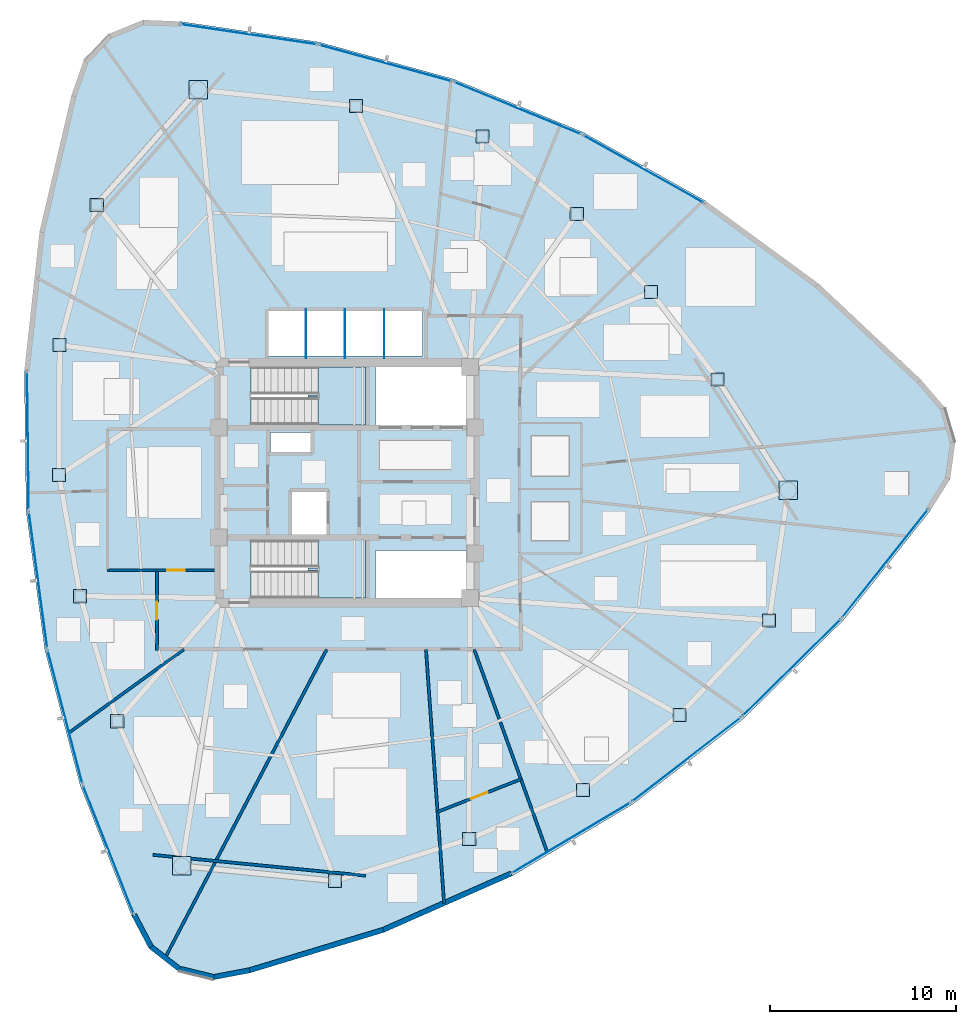
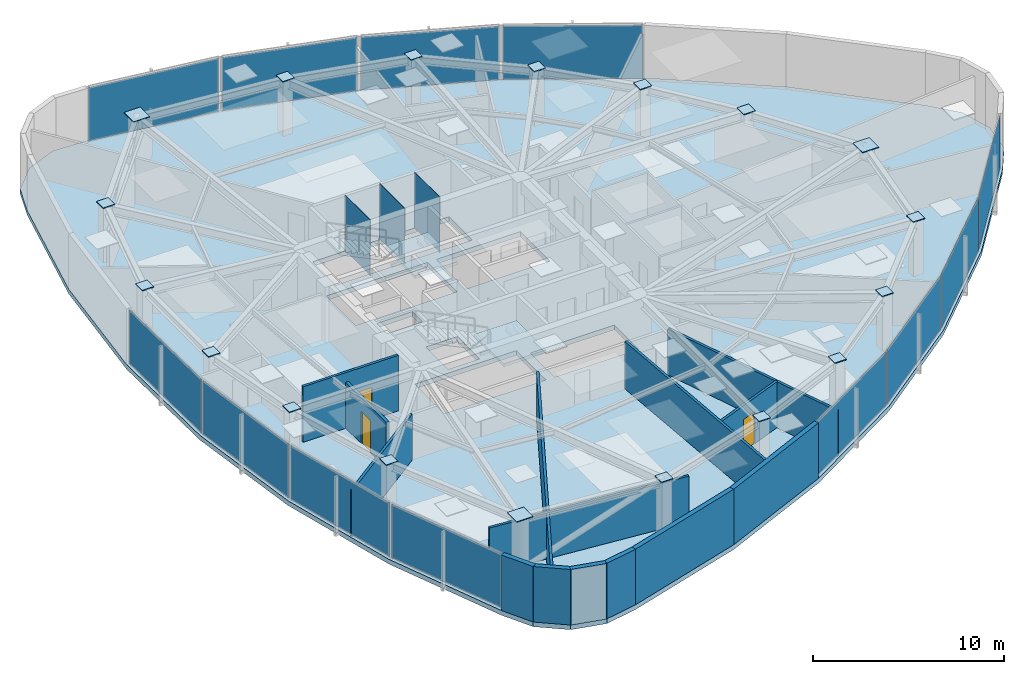
# One storey, part 11 of 18: 33 plates, 14 walls, 3 doors, 3 slabs, 3 openings, 14 elements without a shape of their own.
"""IFC4 building model written with IfcOpenShell, lengths in metres."""

from ifc_helpers import new_model, si_unit, direction, frame, frame_2d, origin, origin_2d, place, context, subcontext, project, spatial, polyline, rectangle, outline, extrude, source, transform, mapped, material, layer, layer_set, type_object, type_shapes, element, fill, aggregate, save


model = new_model("IFC4")

# Units and contexts
model_context = context("Model", 3, precision=1e-05, world=origin(), true_north=direction((0.0, 1.0)))
body_context = subcontext(model_context, "Body", "Model", "MODEL_VIEW")
ifc_project = project(units=[si_unit("LENGTHUNIT", "METRE"), si_unit("AREAUNIT", "SQUARE_METRE"), si_unit("VOLUMEUNIT", "CUBIC_METRE"), si_unit("PLANEANGLEUNIT", "RADIAN"), si_unit("MASSUNIT", "GRAM", prefix="KILO")], contexts=[model_context])

# Site, building, storey
site_placement = place(None, origin())
site = spatial("IfcSite", under=ifc_project, at=site_placement, CompositionType="ELEMENT")
building_placement = place(site_placement, origin())
building = spatial("IfcBuilding", under=site, at=building_placement, Name="Tavelor Broadcast Tower", CompositionType="ELEMENT")
storey_placement = place(building_placement, frame((0.0, 0.0, 177.199951171875)))
storey = spatial("IfcBuildingStorey", under=building, at=storey_placement, Name="L42", CompositionType="ELEMENT", Elevation=177.199951171875)

# Stair, slab
ifc_material_1 = material(Name="Concrete C40/50", Category="concrete")
stair_type = type_object("IfcStairType", Name="Reinforced Concrete Protected Dogleg Stair 1450 mm", PredefinedType="HALF_TURN_STAIR", material=ifc_material_1)
stair_1_placement = place(storey_placement, origin())
stair_1 = element("IfcStair", 1, at=stair_1_placement, inside=storey, type_object=stair_type, Name="L42 Protected Core Exit Stair ST1", PredefinedType="HALF_TURN_STAIR")
ifc_layer_1 = layer(ifc_material_1, 0.199951171875)
ifc_layer_set_1 = layer_set([ifc_layer_1], Name="Concrete C40/50")
slab_type_1 = type_object("IfcSlabType", Name="Reinforced Concrete Stair Half-Landing Slab 200 mm", PredefinedType="LANDING", material=ifc_layer_set_1)
slab_1_placement = place(storey_placement, frame((0.0, 0.0, 1.72509765625)))
slab_1 = element("IfcSlab", 2, at=slab_1_placement, type_object=slab_type_1, Name="ST1 landing 1", PredefinedType="LANDING", context=body_context, shape_type="SweptSolid", body=[
    extrude(outline(polyline([(48.445068359375, 49.590087890625), (48.445068359375, 48.094970703125), (51.0048828125, 48.094970703125), (51.0048828125, 51.205078125), (48.445068359375, 51.205078125), (48.445068359375, 49.7099609375), (47.905029296875, 49.7099609375), (47.905029296875, 49.590087890625), (48.445068359375, 49.590087890625)])), origin(), (0.0, 0.0, 1.0), 0.199951171875),
])
aggregate(stair_1, [slab_1])

stair_2_placement = place(storey_placement, origin())
stair_2 = element("IfcStair", 3, at=stair_2_placement, inside=storey, type_object=stair_type, Name="L42 Protected Core Exit Stair ST2", PredefinedType="HALF_TURN_STAIR")
slab_2_placement = place(storey_placement, frame((0.0, 0.0, 1.72509765625)))
slab_2 = element("IfcSlab", 4, at=slab_2_placement, type_object=slab_type_1, Name="ST2 landing 1", PredefinedType="LANDING", context=body_context, shape_type="SweptSolid", body=[
    extrude(outline(polyline([(48.445068359375, 40.2900390625), (48.445068359375, 38.794921875), (51.0048828125, 38.794921875), (51.0048828125, 41.905029296875), (48.445068359375, 41.905029296875), (48.445068359375, 40.409912109375), (47.905029296875, 40.409912109375), (47.905029296875, 40.2900390625), (48.445068359375, 40.2900390625)])), origin(), (0.0, 0.0, 1.0), 0.199951171875),
])
aggregate(stair_2, [slab_2])

# Slab
ifc_layer_2 = layer(ifc_material_1, 0.300048828125)
ifc_layer_set_2 = layer_set([ifc_layer_2], Name="Concrete C40/50")
slab_type_2 = type_object("IfcSlabType", Name="Tower Composite Floor Slab 300 mm", PredefinedType="FLOOR", material=ifc_layer_set_2)
slab_3_placement = place(storey_placement, frame((0.0, 0.0, -0.300048828125)))
element("IfcSlab", 5, at=slab_3_placement, inside=storey, type_object=slab_type_2, Name="L42 Structural Floor Slab", PredefinedType="FLOOR", context=body_context, shape_type="SweptSolid", body=[
    extrude(outline(polyline([(41.036865234375, 69.750732421875), (39.0625, 69.828125), (37.23095703125, 69.08642578125), (35.866943359375, 67.656494140625), (35.212158203125, 65.792236328125), (33.497802734375, 58.46875), (32.681884765625, 50.99169921875), (32.777099609375, 43.470947265625), (33.78173828125, 36.016845703125), (35.680908203125, 28.739013671875), (38.44677734375, 21.74462890625), (39.366943359375, 19.995849609375), (40.925048828125, 18.78076171875), (42.84521484375, 18.314453125), (44.787353515625, 18.6796875), (51.98681640625, 20.8564453125), (58.8701171875, 23.888671875), (65.335693359375, 27.7314453125), (71.288818359375, 32.328369140625), (76.641845703125, 37.612060546875), (81.316162109375, 43.504638671875), (82.37060546875, 45.17578125), (82.64404296875, 47.1328125), (82.087646484375, 49.029052734375), (80.800537109375, 50.5283203125), (75.3154296875, 55.6748046875), (69.248046875, 60.11962890625), (62.687255859375, 63.797607421875), (55.7294921875, 66.65478515625), (48.477294921875, 68.648681640625), (41.036865234375, 69.750732421875)]), holes=[polyline([(56.60009765625, 41.35009765625), (56.60009765625, 38.800048828125), (51.52001953125, 38.800048828125), (51.52001953125, 41.35009765625), (56.60009765625, 41.35009765625)]), polyline([(50.99609375, 38.803955078125), (44.85400390625, 38.803955078125), (44.85400390625, 41.89599609375), (50.99609375, 41.89599609375), (50.99609375, 38.803955078125)]), polyline([(47.050048828125, 42.199951171875), (47.050048828125, 44.550048828125), (48.949951171875, 44.550048828125), (48.949951171875, 42.199951171875), (47.050048828125, 42.199951171875)]), polyline([(48.050048828125, 46.64990234375), (45.89990234375, 46.64990234375), (45.89990234375, 47.699951171875), (48.050048828125, 47.699951171875), (48.050048828125, 46.64990234375)]), polyline([(50.99609375, 48.10400390625), (44.85400390625, 48.10400390625), (44.85400390625, 51.196044921875), (50.99609375, 51.196044921875), (50.99609375, 48.10400390625)]), polyline([(56.60009765625, 48.10009765625), (51.52001953125, 48.10009765625), (51.52001953125, 51.199951171875), (56.60009765625, 51.199951171875), (56.60009765625, 48.10009765625)]), polyline([(54.050048828125, 51.800048828125), (45.800048828125, 51.800048828125), (45.800048828125, 54.25), (54.050048828125, 54.25), (54.050048828125, 51.800048828125)])]), origin(), (0.0, 0.0, 1.0), 0.300048828125),
])

# Plates
ifc_material_2 = material(Name="Steel S460", Category="steel")
ifc_layer_3 = layer(ifc_material_2, 0.050048828125)
ifc_layer_set_3 = layer_set([ifc_layer_3], Name="Steel S460")
plate_type_1 = type_object("IfcPlateType", Name="Tube Hollow-End Cap Plate KN05 700x700x50", PredefinedType="USERDEFINED", material=ifc_layer_set_3)
shared_shape_1 = source(origin(), body_context, "Body", "SweptSolid", [
    extrude(rectangle(XDim=0.699951171875, YDim=0.699951171875, at=origin_2d()), origin(), (0.0, 0.0, 1.0), 0.054931640625),
])
for number, where, z_axis, x_axis, name in (
    (6, (36.567626953125, 59.91064453125, 3.5224609375), (0.0, 0.0, 1.0), (1.0, 0.0, 0.0), "L42 Hollow End Cap Plate KN05 #1198"),
    (7, (34.5751953125, 52.37939453125, 3.5224609375), (0.0, 0.0, 1.0), (1.0, 0.0, 0.0), "L42 Hollow End Cap Plate KN05 #1199"),
    (8, (34.54638671875, 45.399169921875, 3.5224609375), (0.0, 0.0, 1.0), (1.0, 0.0, 0.0), "L42 Hollow End Cap Plate KN05 #1200"),
    (9, (35.680908203125, 38.89990234375, 3.5224609375), (0.0, 0.0, 1.0), (1.0, 0.0, 0.0), "L42 Hollow End Cap Plate KN05 #1201"),
    (10, (37.668212890625, 32.1904296875, 3.5224609375), (0.0, 0.0, 1.0), (1.0, 0.0, 0.0), "L42 Hollow End Cap Plate KN05 #1202"),
    (11, (49.366455078125, 23.618896484375, 3.5224609375), (0.0, 0.0, 1.0), (1.0, 0.0, 0.0), "L42 Hollow End Cap Plate KN05 #1204"),
    (12, (56.56103515625, 25.872802734375, 3.5224609375), (0.0, 0.0, 1.0), (1.0, 0.0, 0.0), "L42 Hollow End Cap Plate KN05 #1205"),
    (13, (62.669189453125, 28.503173828125, 3.5224609375), (0.0, 0.0, 1.0), (1.0, 0.0, 0.0), "L42 Hollow End Cap Plate KN05 #1206"),
    (14, (67.84228515625, 32.53173828125, 3.5224609375), (0.0, 0.0, 1.0), (1.0, 0.0, 0.0), "L42 Hollow End Cap Plate KN05 #1207"),
    (15, (72.6591796875, 37.607421875, 3.5224609375), (0.0, 0.0, 1.0), (1.0, 0.0, 0.0), "L42 Hollow End Cap Plate KN05 #1208"),
    (16, (69.885986328125, 50.544189453125, 3.5224609375), (0.0, 0.0, 1.0), (1.0, 0.0, 0.0), "L42 Hollow End Cap Plate KN05 #1210"),
    (17, (66.322021484375, 55.228759765625, 3.5224609375), (0.0, 0.0, 1.0), (1.0, 0.0, 0.0), "L42 Hollow End Cap Plate KN05 #1211"),
    (18, (62.330810546875, 59.416259765625, 3.5224609375), (0.0, 0.0, 1.0), (1.0, 0.0, 0.0), "L42 Hollow End Cap Plate KN05 #1212"),
    (19, (57.276611328125, 63.568359375, 3.5224609375), (0.0, 0.0, 1.0), (1.0, 0.0, 0.0), "L42 Hollow End Cap Plate KN05 #1213"),
    (20, (50.472412109375, 65.2021484375, 3.5224609375), (0.0, 0.0, 1.0), (1.0, 0.0, 0.0), "L42 Hollow End Cap Plate KN05 #1214"),
):
    element("IfcPlate", number, at=place(storey_placement, frame(where, z_axis=z_axis, x_axis=x_axis)), inside=storey, type_object=plate_type_1, Name=name, ObjectType="CAP PLATE", PredefinedType="USERDEFINED", context=body_context, shape_type="MappedRepresentation", body=[
        mapped(shared_shape_1, transform((0.0, 0.0, 0.0), scale=1.0)),
    ])
shared_shape_2 = source(origin(), body_context, "Body", "SweptSolid", [
    extrude(rectangle(XDim=0.993896484375, YDim=0.993896484375, at=origin_2d()), origin(), (0.0, 0.0, 1.0), 0.054931640625),
])
type_shapes(plate_type_1, [shared_shape_1, shared_shape_2])
for number, where, z_axis, x_axis, name in (
    (21, (42.01123046875, 66.080078125, 3.5224609375), (0.0, 0.0, 1.0), (1.0, 0.0, 0.0), "L42 Hollow End Cap Plate KN05 #1197"),
    (22, (41.138671875, 24.423828125, 3.5224609375), (0.0, 0.0, 1.0), (1.0, 0.0, 0.0), "L42 Hollow End Cap Plate KN05 #1203"),
    (23, (73.676025390625, 44.57958984375, 3.5224609375), (0.0, 0.0, 1.0), (1.0, 0.0, 0.0), "L42 Hollow End Cap Plate KN05 #1209"),
):
    element("IfcPlate", number, at=place(storey_placement, frame(where, z_axis=z_axis, x_axis=x_axis)), inside=storey, type_object=plate_type_1, Name=name, ObjectType="CAP PLATE", PredefinedType="USERDEFINED", context=body_context, shape_type="MappedRepresentation", body=[
        mapped(shared_shape_2, transform((0.0, 0.0, 0.0), scale=1.0)),
    ])
ifc_material_3 = material(Name="Steel S355", Category="steel")
ifc_layer_4 = layer(ifc_material_3, 0.011962890625)
ifc_layer_set_4 = layer_set([ifc_layer_4], Name="Steel S355")
plate_type_2 = type_object("IfcPlateType", Name="Hoistway Steel Separator Screen 12 mm", PredefinedType="SHEET", material=ifc_layer_set_4)
shared_shape_3 = source(origin(), body_context, "Body", "SweptSolid", [
    extrude(rectangle(XDim=0.02001953125, YDim=2.6201171875, at=origin_2d()), origin(), (0.0, 0.0, 1.0), 3.550048828125),
])
type_shapes(plate_type_2, [shared_shape_3])
for number, where, z_axis, x_axis, name in (
    (24, (47.800048828125, 52.989990234375, 0.0), (0.0, 0.0, 1.0), (1.0, 0.0, 0.0), "L42 High-Rise Hoistway Separator Screen 1"),
    (25, (49.89990234375, 52.989990234375, 0.0), (0.0, 0.0, 1.0), (1.0, 0.0, 0.0), "L42 High-Rise Hoistway Separator Screen 2"),
    (26, (52.0, 52.989990234375, 0.0), (0.0, 0.0, 1.0), (1.0, 0.0, 0.0), "L42 High-Rise Hoistway Separator Screen 3"),
):
    element("IfcPlate", number, at=place(storey_placement, frame(where, z_axis=z_axis, x_axis=x_axis)), inside=storey, type_object=plate_type_2, Name=name, PredefinedType="SHEET", context=body_context, shape_type="MappedRepresentation", body=[
        mapped(shared_shape_3, transform((0.0, 0.0, 0.0), scale=1.0)),
    ])

# Curtain wall, plate
ifc_material_4 = material(Name="Architectural Anodized Aluminium", Category="aluminium")
ifc_layer_5 = layer(ifc_material_4, 0.18994140625)
ifc_layer_set_5 = layer_set([ifc_layer_5], Name="Architectural Anodized Aluminium")
curtain_wall_type = type_object("IfcCurtainWallType", Name="Tower Mid-Zone Acoustic Curtain Wall CW03", PredefinedType="NOTDEFINED", material=ifc_layer_set_5)
curtain_wall_1_placement = place(storey_placement, origin())
curtain_wall_1 = element("IfcCurtainWall", 27, at=curtain_wall_1_placement, inside=storey, type_object=curtain_wall_type, Name="L42 Curtain Wall CW03 Run 445", PredefinedType="NOTDEFINED")
ifc_material_5 = material(Name="Solar Control Double Glazing 30 mm", Category="glass")
ifc_layer_6 = layer(ifc_material_5, 0.030029296875)
ifc_layer_set_6 = layer_set([ifc_layer_6], Name="Solar Control Double Glazing 30 mm")
plate_type_3 = type_object("IfcPlateType", Name="CW03 Insulated Vision Glazing Panel 30 mm", PredefinedType="CURTAIN_PANEL", material=ifc_layer_set_6)
shared_shape_4 = source(origin(), body_context, "Body", "SweptSolid", [
    extrude(rectangle(XDim=7.353515625, YDim=0.030029296875, at=origin_2d()), origin(), (0.0, 0.0, 1.0), 3.4140625),
])
plate_1_placement = place(storey_placement, frame((32.869384765625, 47.240478515625, 0.068115234375), z_axis=(0.0, 0.0, 1.0), x_axis=(0.012657889797, -0.999919885704, 0.0)))
plate_1 = element("IfcPlate", 28, at=plate_1_placement, type_object=plate_type_3, Name="CW03 panel 1.1", PredefinedType="CURTAIN_PANEL", context=body_context, shape_type="MappedRepresentation", body=[
    mapped(shared_shape_4, transform((0.0, 0.0, 0.0), scale=1.0)),
])
aggregate(curtain_wall_1, [plate_1])

curtain_wall_2_placement = place(storey_placement, origin())
curtain_wall_2 = element("IfcCurtainWall", 29, at=curtain_wall_2_placement, inside=storey, type_object=curtain_wall_type, Name="L42 Curtain Wall CW03 Run 449", PredefinedType="NOTDEFINED")
plate_2_placement = place(storey_placement, frame((62.02490234375, 25.926513671875, 0.068115234375), z_axis=(0.0, 0.0, 1.0), x_axis=(0.859630829004, 0.510915685633, 0.0)))
plate_2 = element("IfcPlate", 30, at=plate_2_placement, type_object=plate_type_3, Name="CW03 panel 1.1", PredefinedType="CURTAIN_PANEL", context=body_context, shape_type="MappedRepresentation", body=[
    mapped(shared_shape_4, transform((0.0, 0.0, 0.0), scale=1.0)),
])
aggregate(curtain_wall_2, [plate_2])

curtain_wall_3_placement = place(storey_placement, origin())
curtain_wall_3 = element("IfcCurtainWall", 31, at=curtain_wall_3_placement, inside=storey, type_object=curtain_wall_type, Name="L42 Curtain Wall CW03 Run 453", PredefinedType="NOTDEFINED")
plate_3_placement = place(storey_placement, frame((65.90576171875, 61.8330078125, 0.068115234375), z_axis=(0.0, 0.0, 1.0), x_axis=(-0.872279603374, 0.489007457549, 0.0)))
plate_3 = element("IfcPlate", 32, at=plate_3_placement, type_object=plate_type_3, Name="CW03 panel 1.1", PredefinedType="CURTAIN_PANEL", context=body_context, shape_type="MappedRepresentation", body=[
    mapped(shared_shape_4, transform((0.0, 0.0, 0.0), scale=1.0)),
])
aggregate(curtain_wall_3, [plate_3])

curtain_wall_4_placement = place(storey_placement, origin())
curtain_wall_4 = element("IfcCurtainWall", 33, at=curtain_wall_4_placement, inside=storey, type_object=curtain_wall_type, Name="L42 Curtain Wall CW03 Run 446", PredefinedType="NOTDEFINED")
shared_shape_5 = source(origin(), body_context, "Body", "SweptSolid", [
    extrude(rectangle(XDim=7.33837890625, YDim=0.030029296875, at=origin_2d()), origin(), (0.0, 0.0, 1.0), 3.4140625),
])
plate_4_placement = place(storey_placement, frame((33.418212890625, 39.762451171875, 0.068115234375), z_axis=(0.0, 0.0, 1.0), x_axis=(0.133548220083, -0.991042316409, 0.0)))
plate_4 = element("IfcPlate", 34, at=plate_4_placement, type_object=plate_type_3, Name="CW03 panel 1.1", PredefinedType="CURTAIN_PANEL", context=body_context, shape_type="MappedRepresentation", body=[
    mapped(shared_shape_5, transform((0.0, 0.0, 0.0), scale=1.0)),
])
aggregate(curtain_wall_4, [plate_4])

curtain_wall_5_placement = place(storey_placement, origin())
curtain_wall_5 = element("IfcCurtainWall", 35, at=curtain_wall_5_placement, inside=storey, type_object=curtain_wall_type, Name="L42 Curtain Wall CW03 Run 447", PredefinedType="NOTDEFINED")
plate_5_placement = place(storey_placement, frame((34.86669921875, 32.413330078125, 0.068115234375), z_axis=(0.0, 0.0, 1.0), x_axis=(0.252501957199, -0.967596383628, 0.0)))
plate_5 = element("IfcPlate", 36, at=plate_5_placement, type_object=plate_type_3, Name="CW03 panel 1.1", PredefinedType="CURTAIN_PANEL", context=body_context, shape_type="MappedRepresentation", body=[
    mapped(shared_shape_5, transform((0.0, 0.0, 0.0), scale=1.0)),
])
aggregate(curtain_wall_5, [plate_5])

curtain_wall_6_placement = place(storey_placement, origin())
curtain_wall_6 = element("IfcCurtainWall", 37, at=curtain_wall_6_placement, inside=storey, type_object=curtain_wall_type, Name="L42 Curtain Wall CW03 Run 450", PredefinedType="NOTDEFINED")
plate_6_placement = place(storey_placement, frame((68.2265625, 30.140869140625, 0.068115234375), z_axis=(0.0, 0.0, 1.0), x_axis=(0.791497098961, 0.611172923432, 0.0)))
plate_6 = element("IfcPlate", 38, at=plate_6_placement, type_object=plate_type_3, Name="CW03 panel 1.1", PredefinedType="CURTAIN_PANEL", context=body_context, shape_type="MappedRepresentation", body=[
    mapped(shared_shape_5, transform((0.0, 0.0, 0.0), scale=1.0)),
])
aggregate(curtain_wall_6, [plate_6])

curtain_wall_7_placement = place(storey_placement, origin())
curtain_wall_7 = element("IfcCurtainWall", 39, at=curtain_wall_7_placement, inside=storey, type_object=curtain_wall_type, Name="L42 Curtain Wall CW03 Run 451", PredefinedType="NOTDEFINED")
plate_7_placement = place(storey_placement, frame((73.866943359375, 35.06982421875, 0.068115234375), z_axis=(0.0, 0.0, 1.0), x_axis=(0.711700770333, 0.702482749615, 0.0)))
plate_7 = element("IfcPlate", 40, at=plate_7_placement, type_object=plate_type_3, Name="CW03 panel 1.1", PredefinedType="CURTAIN_PANEL", context=body_context, shape_type="MappedRepresentation", body=[
    mapped(shared_shape_5, transform((0.0, 0.0, 0.0), scale=1.0)),
])
aggregate(curtain_wall_7, [plate_7])

curtain_wall_8_placement = place(storey_placement, origin())
curtain_wall_8 = element("IfcCurtainWall", 41, at=curtain_wall_8_placement, inside=storey, type_object=curtain_wall_type, Name="L42 Curtain Wall CW03 Run 454", PredefinedType="NOTDEFINED")
plate_8_placement = place(storey_placement, frame((59.1552734375, 65.0966796875, 0.068115234375), z_axis=(0.0, 0.0, 1.0), x_axis=(-0.925046179767, 0.379854663388, 0.0)))
plate_8 = element("IfcPlate", 42, at=plate_8_placement, type_object=plate_type_3, Name="CW03 panel 1.1", PredefinedType="CURTAIN_PANEL", context=body_context, shape_type="MappedRepresentation", body=[
    mapped(shared_shape_5, transform((0.0, 0.0, 0.0), scale=1.0)),
])
aggregate(curtain_wall_8, [plate_8])

curtain_wall_9_placement = place(storey_placement, origin())
curtain_wall_9 = element("IfcCurtainWall", 43, at=curtain_wall_9_placement, inside=storey, type_object=curtain_wall_type, Name="L42 Curtain Wall CW03 Run 455", PredefinedType="NOTDEFINED")
plate_9_placement = place(storey_placement, frame((52.066162109375, 67.516845703125, 0.068115234375), z_axis=(0.0, 0.0, 1.0), x_axis=(-0.964213088536, 0.265128496952, 0.0)))
plate_9 = element("IfcPlate", 44, at=plate_9_placement, type_object=plate_type_3, Name="CW03 panel 1.1", PredefinedType="CURTAIN_PANEL", context=body_context, shape_type="MappedRepresentation", body=[
    mapped(shared_shape_5, transform((0.0, 0.0, 0.0), scale=1.0)),
])
aggregate(curtain_wall_9, [plate_9])

curtain_wall_10_placement = place(storey_placement, origin())
curtain_wall_10 = element("IfcCurtainWall", 45, at=curtain_wall_10_placement, inside=storey, type_object=curtain_wall_type, Name="L42 Curtain Wall CW03 Run 448", PredefinedType="NOTDEFINED")
shared_shape_6 = source(origin(), body_context, "Body", "SweptSolid", [
    extrude(rectangle(XDim=7.354248046875, YDim=0.030029296875, at=origin_2d()), origin(), (0.0, 0.0, 1.0), 3.4140625),
])
type_shapes(plate_type_3, [shared_shape_4, shared_shape_5, shared_shape_6])
plate_10_placement = place(storey_placement, frame((37.197021484375, 25.285888671875, 0.068115234375), z_axis=(0.0, 0.0, 1.0), x_axis=(0.367739440578, -0.929928870314, 0.0)))
plate_10 = element("IfcPlate", 46, at=plate_10_placement, type_object=plate_type_3, Name="CW03 panel 1.1", PredefinedType="CURTAIN_PANEL", context=body_context, shape_type="MappedRepresentation", body=[
    mapped(shared_shape_6, transform((0.0, 0.0, 0.0), scale=1.0)),
])
aggregate(curtain_wall_10, [plate_10])

curtain_wall_11_placement = place(storey_placement, origin())
curtain_wall_11 = element("IfcCurtainWall", 47, at=curtain_wall_11_placement, inside=storey, type_object=curtain_wall_type, Name="L42 Curtain Wall CW03 Run 452", PredefinedType="NOTDEFINED")
plate_11_placement = place(storey_placement, frame((78.874267578125, 40.651611328125, 0.068115234375), z_axis=(0.0, 0.0, 1.0), x_axis=(0.621469315487, 0.783438504228, 0.0)))
plate_11 = element("IfcPlate", 48, at=plate_11_placement, type_object=plate_type_3, Name="CW03 panel 1.1", PredefinedType="CURTAIN_PANEL", context=body_context, shape_type="MappedRepresentation", body=[
    mapped(shared_shape_6, transform((0.0, 0.0, 0.0), scale=1.0)),
])
aggregate(curtain_wall_11, [plate_11])

curtain_wall_12_placement = place(storey_placement, origin())
curtain_wall_12 = element("IfcCurtainWall", 49, at=curtain_wall_12_placement, inside=storey, type_object=curtain_wall_type, Name="L42 Curtain Wall CW03 Run 456", PredefinedType="NOTDEFINED")
plate_12_placement = place(storey_placement, frame((44.728759765625, 69.0625, 0.068115234375), z_axis=(0.0, 0.0, 1.0), x_axis=(-0.989211274174, 0.146495921602, 0.0)))
plate_12 = element("IfcPlate", 50, at=plate_12_placement, type_object=plate_type_3, Name="CW03 panel 1.1", PredefinedType="CURTAIN_PANEL", context=body_context, shape_type="MappedRepresentation", body=[
    mapped(shared_shape_6, transform((0.0, 0.0, 0.0), scale=1.0)),
])
aggregate(curtain_wall_12, [plate_12])

# Wall, opening, door
ifc_material_6 = material(Name="Calcium Silicate Fire Board 180 mm", Category="gypsum")
ifc_layer_7 = layer(ifc_material_6, 0.179931640625)
ifc_layer_set_7 = layer_set([ifc_layer_7], Name="Calcium Silicate Fire Board 180 mm")
wall_type_1 = type_object("IfcWallType", Name="Fire-Rated Corridor Partition Wall 180 mm", PredefinedType="PARTITIONING", material=ifc_layer_set_7)
wall_1_placement = place(storey_placement, frame((39.800048828125, 36.0, 0.0), z_axis=(0.0, 0.0, 1.0), x_axis=(0.0, 1.0, 0.0)))
wall_1 = element("IfcWall", 51, at=wall_1_placement, inside=storey, type_object=wall_type_1, Name="L42 Corridor Compartment Wall 05", PredefinedType="PARTITIONING", context=body_context, shape_type="SweptSolid", body=[
    extrude(rectangle(XDim=4.25, YDim=0.179931640625, at=frame_2d((2.125, 0.0))), origin(), (0.0, 0.0, 1.0), 2.93505859375),
])
opening_1_placement = place(wall_1_placement, frame((1.64990234375, 0.0, 0.0)))
opening_1 = element("IfcOpeningElement", 52, at=opening_1_placement, cuts=wall_1, Name="Opening DR18", PredefinedType="OPENING", context=body_context, shape_type="SweptSolid", body=[
    extrude(rectangle(XDim=0.949951171875, YDim=2.050048828125, at=frame_2d((0.47509765625, 1.02490234375))), frame((0.0, 0.10009765625, 0.0), z_axis=(0.0, -1.0, 0.0), x_axis=(1.0, 0.0, 0.0)), (0.0, 0.0, 1.0), 0.199951171875),
])
ifc_material_7 = material(Name="Timber Solid Core Hardwood", Category="wood")
door_type_1 = type_object("IfcDoorType", Name="Corridor Rated Compartment Door 950x2050", OperationType="NOTDEFINED", PredefinedType="DOOR", material=ifc_material_7)
door_1_placement = place(opening_1_placement, origin())
door_1 = element("IfcDoor", 53, at=door_1_placement, inside=storey, type_object=door_type_1, Name="L42 Broadcast Editorial Office Door R4", OperationType="SINGLE_SWING_LEFT", OverallHeight=2.050048828125, OverallWidth=0.949951171875, PredefinedType="DOOR", context=body_context, shape_type="SweptSolid", body=[
    extrude(rectangle(XDim=0.949951171875, YDim=2.050048828125, at=frame_2d((0.47509765625, 1.02490234375))), frame((0.0, 0.02490234375, 0.0), z_axis=(0.0, -1.0, 0.0), x_axis=(1.0, 0.0, 0.0)), (0.0, 0.0, 1.0), 0.050048828125),
])
fill(opening_1, door_1)

# Walls
ifc_material_8 = material(Name="Precast Concrete C40/50", Category="concrete")
ifc_layer_8 = layer(ifc_material_8, 0.280029296875)
ifc_layer_set_8 = layer_set([ifc_layer_8], Name="Precast Concrete C40/50")
wall_type_2 = type_object("IfcWallType", Name="Insulated Precast Terracotta Facade Wall 280 mm", PredefinedType="STANDARD", material=ifc_layer_set_8)
wall_2_placement = place(storey_placement, frame((38.572509765625, 21.806640625, 0.0), z_axis=(0.0, 0.0, 1.0), x_axis=(0.465530491216, -0.885031842223, 0.0)))
element("IfcWall", 54, at=wall_2_placement, inside=storey, type_object=wall_type_2, Name="L42 Rounded Corner Structural Cladding Pier 11", PredefinedType="STANDARD", context=body_context, shape_type="SweptSolid", body=[
    extrude(rectangle(XDim=1.957275390625, YDim=0.280029296875, at=frame_2d((0.978515625, 0.0))), origin(), (0.0, 0.0, 1.0), 3.550048828125),
])
wall_3_placement = place(storey_placement, frame((39.46484375, 20.096923828125, 0.0), z_axis=(0.0, 0.0, 1.0), x_axis=(0.788581401073, -0.61493038133, 0.0)))
element("IfcWall", 55, at=wall_3_placement, inside=storey, type_object=wall_type_2, Name="L42 Rounded Corner Structural Cladding Pier 12", PredefinedType="STANDARD", context=body_context, shape_type="SweptSolid", body=[
    extrude(rectangle(XDim=1.94580078125, YDim=0.280029296875, at=frame_2d((0.972900390625, 0.0))), origin(), (0.0, 0.0, 1.0), 3.550048828125),
])
wall_4_placement = place(storey_placement, frame((40.972900390625, 18.9130859375, 0.0), z_axis=(0.0, 0.0, 1.0), x_axis=(0.97177343414, -0.235916071305, 0.0)))
element("IfcWall", 56, at=wall_4_placement, inside=storey, type_object=wall_type_2, Name="L42 Rounded Corner Structural Cladding Pier 13", PredefinedType="STANDARD", context=body_context, shape_type="SweptSolid", body=[
    extrude(rectangle(XDim=1.945556640625, YDim=0.280029296875, at=frame_2d((0.97265625, 0.0))), origin(), (0.0, 0.0, 1.0), 3.550048828125),
])
wall_5_placement = place(storey_placement, frame((42.834228515625, 18.454833984375, 0.0), z_axis=(0.0, 0.0, 1.0), x_axis=(0.98277657894, 0.184797716131, 0.0)))
element("IfcWall", 57, at=wall_5_placement, inside=storey, type_object=wall_type_2, Name="L42 Rounded Corner Structural Cladding Pier 14", PredefinedType="STANDARD", context=body_context, shape_type="SweptSolid", body=[
    extrude(rectangle(XDim=1.968505859375, YDim=0.280029296875, at=frame_2d((0.984375, 0.0))), origin(), (0.0, 0.0, 1.0), 3.550048828125),
])
wall_6_placement = place(storey_placement, frame((44.739501953125, 18.8115234375, 0.0), z_axis=(0.0, 0.0, 1.0), x_axis=(0.957204330877, 0.289412973015, 0.0)))
element("IfcWall", 58, at=wall_6_placement, inside=storey, type_object=wall_type_2, Name="L42 Rounded Corner Structural Cladding Pier 15", PredefinedType="STANDARD", context=body_context, shape_type="SweptSolid", body=[
    extrude(rectangle(XDim=7.53564453125, YDim=0.280029296875, at=frame_2d((3.767822265625, 0.0))), origin(), (0.0, 0.0, 1.0), 3.550048828125),
])
wall_7_placement = place(storey_placement, frame((51.924560546875, 20.98193359375, 0.0), z_axis=(0.0, 0.0, 1.0), x_axis=(0.915135500678, 0.403146394501, 0.0)))
element("IfcWall", 59, at=wall_7_placement, inside=storey, type_object=wall_type_2, Name="L42 Rounded Corner Structural Cladding Pier 16", PredefinedType="STANDARD", context=body_context, shape_type="SweptSolid", body=[
    extrude(rectangle(XDim=7.523193359375, YDim=0.280029296875, at=frame_2d((3.76171875, 0.0))), origin(), (0.0, 0.0, 1.0), 3.550048828125),
])
ifc_material_9 = material(Name="Gypsum Acoustic Plasterboard 150 mm", Category="gypsum")
ifc_layer_9 = layer(ifc_material_9, 0.14990234375)
ifc_layer_set_9 = layer_set([ifc_layer_9], Name="Gypsum Acoustic Plasterboard 150 mm")
wall_type_3 = type_object("IfcWallType", Name="Interior Acoustic Partition Wall 150 mm", PredefinedType="PARTITIONING", material=ifc_layer_set_9)
wall_8_placement = place(storey_placement, frame((39.589111328125, 25.017578125, 0.0), z_axis=(0.0, 0.0, 1.0), x_axis=(0.99524905582, -0.097361783517, 0.0)))
element("IfcWall", 60, at=wall_8_placement, inside=storey, type_object=wall_type_3, Name="L42 Corner Tube Brace Furring Wall 2", PredefinedType="PARTITIONING", context=body_context, shape_type="SweptSolid", body=[
    extrude(rectangle(XDim=11.467041015625, YDim=0.14990234375, at=frame_2d((5.7333984375, 0.0))), origin(), (0.0, 0.0, 1.0), 2.93505859375),
])

# Wall, opening, door
wall_9_placement = place(storey_placement, frame((37.139892578125, 40.300048828125, 0.0), z_axis=(0.0, 0.0, 1.0), x_axis=(1.0, 0.0, 0.0)))
wall_9 = element("IfcWall", 61, at=wall_9_placement, inside=storey, type_object=wall_type_3, Name="L42 Reclaimed Shaft Pantry South Wall", PredefinedType="PARTITIONING", context=body_context, shape_type="SweptSolid", body=[
    extrude(rectangle(XDim=5.760009765625, YDim=0.14990234375, at=frame_2d((2.8798828125, 0.0))), origin(), (0.0, 0.0, 1.0), 3.550048828125),
])
opening_2_placement = place(wall_9_placement, frame((3.2099609375, 0.0, 0.0)))
opening_2 = element("IfcOpeningElement", 62, at=opening_2_placement, cuts=wall_9, Name="Opening DR18", PredefinedType="OPENING", context=body_context, shape_type="SweptSolid", body=[
    extrude(rectangle(XDim=0.949951171875, YDim=2.050048828125, at=frame_2d((0.47509765625, 1.02490234375))), frame((0.0, 0.0849609375, 0.0), z_axis=(0.0, -1.0, 0.0), x_axis=(1.0, 0.0, 0.0)), (0.0, 0.0, 1.0), 0.169921875),
])
door_2_placement = place(opening_2_placement, origin())
door_2 = element("IfcDoor", 63, at=door_2_placement, inside=storey, type_object=door_type_1, Name="L42 Broadcast IT Patch and Pantry Door", OperationType="SINGLE_SWING_LEFT", OverallHeight=2.050048828125, OverallWidth=0.949951171875, PredefinedType="DOOR", context=body_context, shape_type="SweptSolid", body=[
    extrude(rectangle(XDim=0.949951171875, YDim=2.050048828125, at=frame_2d((0.47509765625, 1.02490234375))), frame((0.0, 0.02490234375, 0.0), z_axis=(0.0, -1.0, 0.0), x_axis=(1.0, 0.0, 0.0)), (0.0, 0.0, 1.0), 0.050048828125),
])
fill(opening_2, door_2)

# Walls
wall_10_placement = place(storey_placement, frame((41.255615234375, 36.050048828125, 0.0), z_axis=(0.0, 0.0, 1.0), x_axis=(-0.809606643128, -0.586972813172, 0.0)))
element("IfcWall", 64, at=wall_10_placement, inside=storey, type_object=wall_type_3, Name="L42 Radial Compartment Wall 03", PredefinedType="PARTITIONING", context=body_context, shape_type="SweptSolid", body=[
    extrude(rectangle(XDim=7.63232421875, YDim=0.14990234375, at=frame_2d((3.816162109375, 0.0))), origin(), (0.0, 0.0, 1.0), 2.93505859375),
])
wall_11_placement = place(storey_placement, frame((48.9111328125, 36.050048828125, 0.0), z_axis=(0.0, 0.0, 1.0), x_axis=(-0.464058704917, -0.885804447037, 0.0)))
element("IfcWall", 65, at=wall_11_placement, inside=storey, type_object=wall_type_3, Name="L42 Radial Compartment Wall 04", PredefinedType="PARTITIONING", context=body_context, shape_type="SweptSolid", body=[
    extrude(rectangle(XDim=18.7001953125, YDim=0.14990234375, at=frame_2d((9.35009765625, 0.0))), origin(), (0.0, 0.0, 1.0), 2.93505859375),
])
wall_12_placement = place(storey_placement, frame((54.23828125, 36.050048828125, 0.0), z_axis=(0.0, 0.0, 1.0), x_axis=(0.071155639769, -0.997465224922, 0.0)))
element("IfcWall", 66, at=wall_12_placement, inside=storey, type_object=wall_type_3, Name="L42 Radial Compartment Wall 05", PredefinedType="PARTITIONING", context=body_context, shape_type="SweptSolid", body=[
    extrude(rectangle(XDim=13.666015625, YDim=0.14990234375, at=frame_2d((6.8330078125, 0.0))), origin(), (0.0, 0.0, 1.0), 3.025146484375),
])
wall_13_placement = place(storey_placement, frame((56.82421875, 36.050048828125, 0.0), z_axis=(0.0, 0.0, 1.0), x_axis=(0.338939715527, -0.940808093736, 0.0)))
element("IfcWall", 67, at=wall_13_placement, inside=storey, type_object=wall_type_3, Name="L42 Radial Compartment Wall 06", PredefinedType="PARTITIONING", context=body_context, shape_type="SweptSolid", body=[
    extrude(rectangle(XDim=11.578857421875, YDim=0.14990234375, at=frame_2d((5.78955078125, 0.0))), origin(), (0.0, 0.0, 1.0), 2.93505859375),
])

# Wall, opening, door
wall_14_placement = place(storey_placement, frame((54.860595703125, 27.325927734375, 0.0), z_axis=(0.0, 0.0, 1.0), x_axis=(0.931173811316, 0.364575552005, 0.0)))
wall_14 = element("IfcWall", 68, at=wall_14_placement, inside=storey, type_object=wall_type_3, Name="L42 Suite Chord Partition Wall 01", PredefinedType="PARTITIONING", context=body_context, shape_type="SweptSolid", body=[
    extrude(rectangle(XDim=4.80615234375, YDim=0.14990234375, at=frame_2d((2.403076171875, 0.0))), origin(), (0.0, 0.0, 1.0), 2.93505859375),
])
opening_3_placement = place(wall_14_placement, frame((1.927978515625, 0.0, 0.0)))
opening_3 = element("IfcOpeningElement", 69, at=opening_3_placement, cuts=wall_14, Name="Opening DR23", PredefinedType="OPENING", context=body_context, shape_type="SweptSolid", body=[
    extrude(rectangle(XDim=0.949951171875, YDim=2.050048828125, at=frame_2d((0.47509765625, 1.02490234375))), frame((0.0, 0.0849609375, 0.0), z_axis=(0.0, -1.0, 0.0), x_axis=(1.0, 0.0, 0.0)), (0.0, 0.0, 1.0), 0.169921875),
])
door_type_2 = type_object("IfcDoorType", Name="Editorial Room Acoustic Door 950x2050", OperationType="NOTDEFINED", PredefinedType="DOOR", material=ifc_material_7)
door_3_placement = place(opening_3_placement, origin())
door_3 = element("IfcDoor", 70, at=door_3_placement, inside=storey, type_object=door_type_2, Name="L42 Outer Suite Partition Door 1", OperationType="SINGLE_SWING_RIGHT", OverallHeight=2.050048828125, OverallWidth=0.949951171875, PredefinedType="DOOR", context=body_context, shape_type="SweptSolid", body=[
    extrude(rectangle(XDim=0.949951171875, YDim=2.050048828125, at=frame_2d((0.47509765625, 1.02490234375))), frame((0.0, 0.02490234375, 0.0), z_axis=(0.0, -1.0, 0.0), x_axis=(1.0, 0.0, 0.0)), (0.0, 0.0, 1.0), 0.050048828125),
])
fill(opening_3, door_3)

save(model, "model.ifc")
